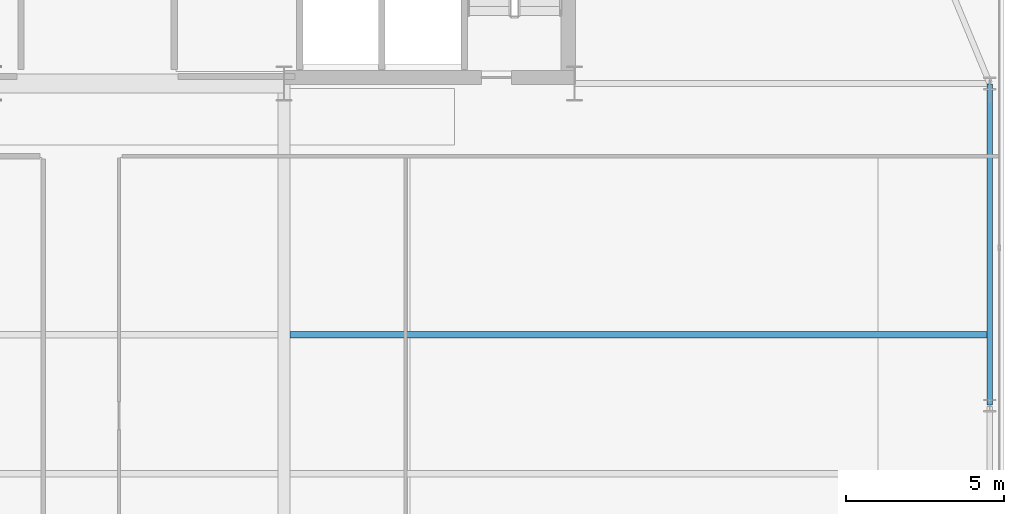
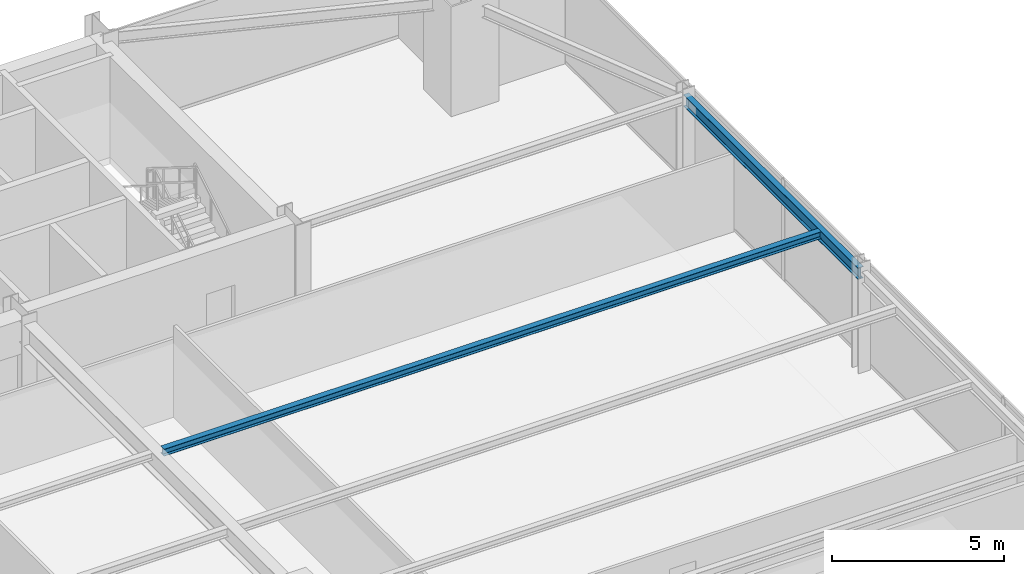
# One storey, part 19 of 32: 2 beams.
"""IFC4 building model written with IfcOpenShell, lengths in metres."""

from ifc_helpers import new_model, si_unit, direction, frame, origin, origin_2d, place, context, subcontext, project, spatial, i_section, extrude, source, transform, mapped, material, material_profile, profile_set, type_object, type_shapes, element, save


model = new_model("IFC4")

# Units and contexts
model_context = context("Model", 3, precision=1e-05, world=origin(), true_north=direction((0.0, 1.0)))
body_context = subcontext(model_context, "Body", "Model", "MODEL_VIEW")
ifc_project = project(units=[si_unit("LENGTHUNIT", "METRE"), si_unit("AREAUNIT", "SQUARE_METRE"), si_unit("VOLUMEUNIT", "CUBIC_METRE"), si_unit("PLANEANGLEUNIT", "RADIAN"), si_unit("MASSUNIT", "GRAM", prefix="KILO")], contexts=[model_context])

# Site, building, storey
site_placement = place(None, origin())
site = spatial("IfcSite", under=ifc_project, at=site_placement, CompositionType="ELEMENT")
building_placement = place(site_placement, origin())
building = spatial("IfcBuilding", under=site, at=building_placement, Name="Varnel Quay Broadcast Tower", CompositionType="ELEMENT")
storey_placement = place(building_placement, frame((0.0, 0.0, 78.300048828125)))
storey = spatial("IfcBuildingStorey", under=building, at=storey_placement, Name="L18", CompositionType="ELEMENT", Elevation=78.300048828125)

# Beams
ifc_material = material(Name="Structural Steel CSA G40.21 350W", Category="steel")
ifc_material_profile_1 = material_profile(ifc_material, i_section(OverallWidth=0.180908203125, OverallDepth=0.4169921875, WebThickness=0.010986328125, FlangeThickness=0.018310546875, FilletRadius=0.011962890625, at=origin_2d()), Name="W410X85")
ifc_profile_set_1 = profile_set([ifc_material_profile_1], Name="Structural Steel CSA G40.21 350W")
beam_type_1 = type_object("IfcBeamType", Name="Beam_W410X85", PredefinedType="SPANDREL", material=ifc_profile_set_1)
shared_shape_1 = source(origin(), body_context, "Body", "SweptSolid", [
    extrude(i_section(OverallWidth=0.180908203125, OverallDepth=0.4169921875, WebThickness=0.010986328125, FlangeThickness=0.018310546875, FilletRadius=0.011962890625, at=origin_2d()), origin(), (0.0, 0.0, 1.0), 10.16015625),
])
type_shapes(beam_type_1, [shared_shape_1])
beam_1_placement = place(storey_placement, frame((65.550048828125, 25.419921875, 3.371337890625), z_axis=(0.0, 1.0, 0.0), x_axis=(-1.0, 0.0, 0.0)))
element("IfcBeam", 1, at=beam_1_placement, inside=storey, type_object=beam_type_1, Name="L18 East Spandrel TC-E2-TC-E3", PredefinedType="SPANDREL", context=body_context, shape_type="MappedRepresentation", body=[
    mapped(shared_shape_1, transform((0.0, 0.0, 0.0), x_axis=(1.0, 0.0, 0.0), y_axis=(0.0, 1.0, 0.0), z_axis=(0.0, 0.0, 1.0), scale=1.0)),
])
ifc_material_profile_2 = material_profile(ifc_material, i_section(OverallWidth=0.201904296875, OverallDepth=0.2470703125, WebThickness=0.00732421875, FlangeThickness=0.010986328125, FilletRadius=0.010986328125, at=origin_2d()), Name="W250X49")
ifc_profile_set_2 = profile_set([ifc_material_profile_2], Name="Structural Steel CSA G40.21 350W")
beam_type_2 = type_object("IfcBeamType", Name="Beam_W250X49", PredefinedType="JOIST", material=ifc_profile_set_2)
shared_shape_2 = source(origin(), body_context, "Body", "SweptSolid", [
    extrude(i_section(OverallWidth=0.201904296875, OverallDepth=0.2470703125, WebThickness=0.00732421875, FlangeThickness=0.010986328125, FilletRadius=0.010986328125, at=origin_2d()), origin(), (0.0, 0.0, 1.0), 22.0791015625),
])
type_shapes(beam_type_2, [shared_shape_2])
beam_2_placement = place(storey_placement, frame((43.385498046875, 27.64990234375, 3.45654296875), z_axis=(1.0, 0.0, 0.0), x_axis=(0.0, 1.0, 0.0)))
element("IfcBeam", 2, at=beam_2_placement, inside=storey, type_object=beam_type_2, Name="L18 East Floor Joist 6", PredefinedType="JOIST", context=body_context, shape_type="MappedRepresentation", body=[
    mapped(shared_shape_2, transform((0.0, 0.0, 0.0), x_axis=(1.0, 0.0, 0.0), y_axis=(0.0, 1.0, 0.0), z_axis=(0.0, 0.0, 1.0), scale=1.0)),
])

save(model, "model.ifc")
